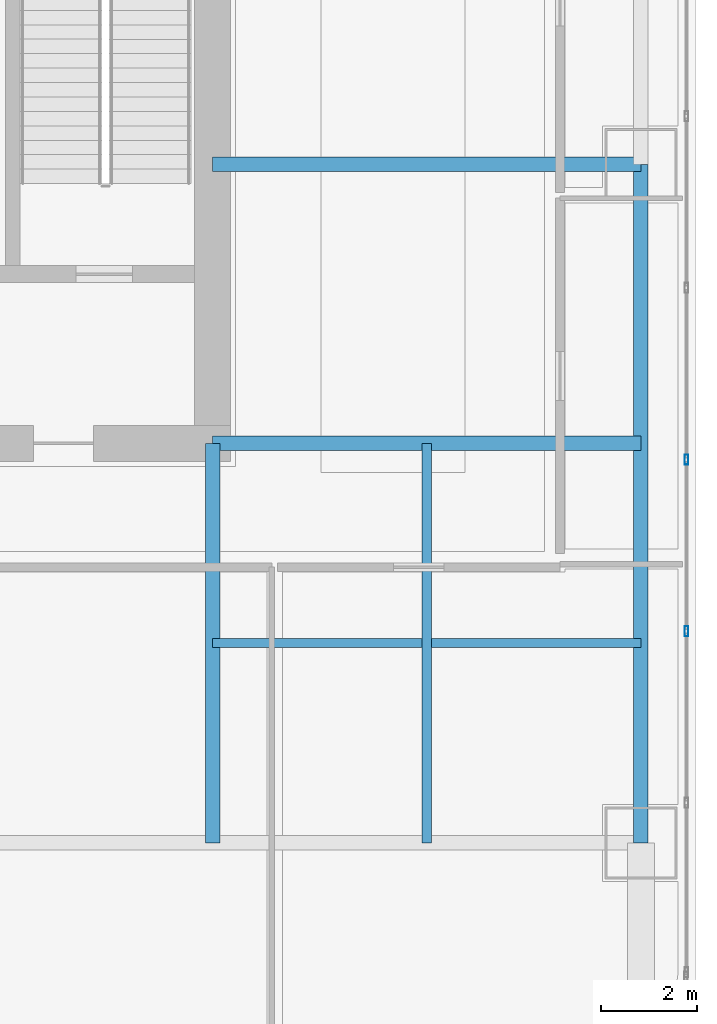
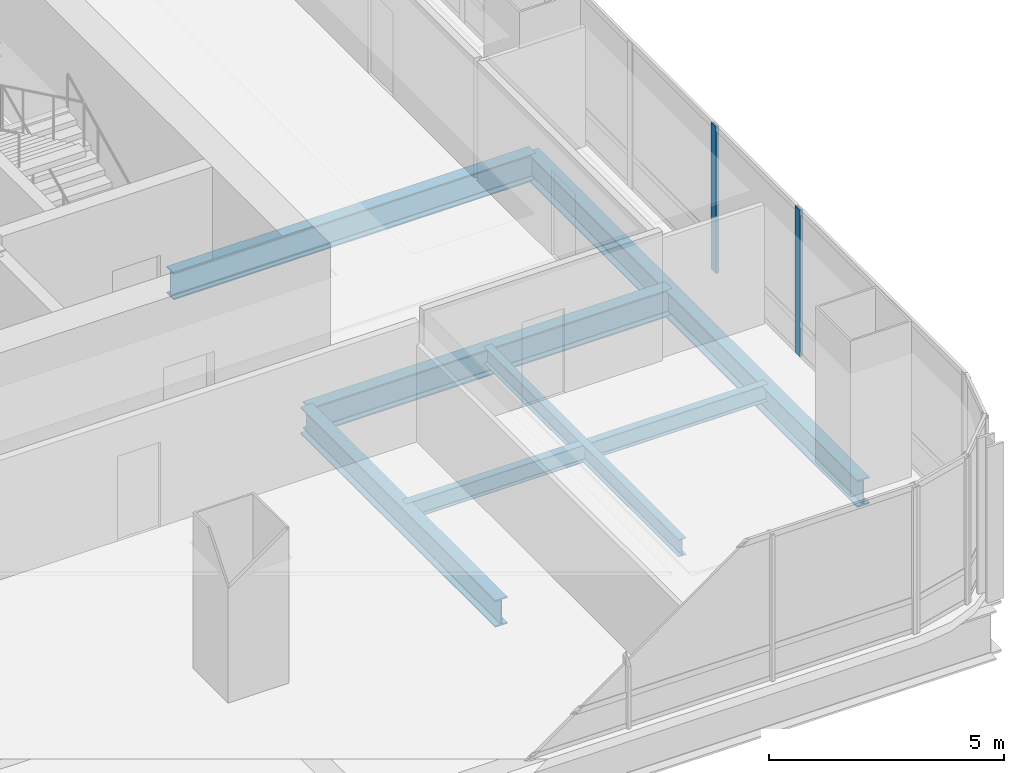
# One storey, part 14 of 36: 6 beams, 2 members, 1 element without a shape of its own.
"""IFC4 building model written with IfcOpenShell, lengths in metres."""

from ifc_helpers import new_model, si_unit, direction, frame, origin, origin_2d, place, context, subcontext, project, spatial, hollow_rectangle, i_section, extrude, material, material_profile, profile_set, type_object, element, aggregate, save


model = new_model("IFC4")

# Units and contexts
model_context = context("Model", 3, precision=1e-05, world=origin(), true_north=direction((0.0, 1.0)))
body_context = subcontext(model_context, "Body", "Model", "MODEL_VIEW")
ifc_project = project(units=[si_unit("LENGTHUNIT", "METRE"), si_unit("AREAUNIT", "SQUARE_METRE"), si_unit("VOLUMEUNIT", "CUBIC_METRE"), si_unit("PLANEANGLEUNIT", "RADIAN"), si_unit("MASSUNIT", "GRAM", prefix="KILO")], contexts=[model_context])

# Site, building, storey
site_placement = place(None, origin())
site = spatial("IfcSite", under=ifc_project, at=site_placement, CompositionType="ELEMENT")
building_placement = place(site_placement, origin())
building = spatial("IfcBuilding", under=site, at=building_placement, Name="Punatoya Terracotta Tower", CompositionType="ELEMENT")
storey_placement = place(building_placement, frame((0.0, 0.0, 40.35009765625)))
storey = spatial("IfcBuildingStorey", under=building, at=storey_placement, Name="L08", CompositionType="ELEMENT", Elevation=40.35009765625)

# Beams
ifc_material_1 = material(Name="Steel S355", Category="steel")
ifc_material_profile_1 = material_profile(ifc_material_1, i_section(OverallWidth=0.300048828125, OverallDepth=0.699951171875, WebThickness=0.01708984375, FlangeThickness=0.031982421875, FilletRadius=0.01806640625, at=origin_2d()))
ifc_profile_set_1 = profile_set([ifc_material_profile_1], Name="Steel S355")
beam_type_1 = type_object("IfcBeamType", Name="BM-PRI-700", PredefinedType="BEAM", material=ifc_profile_set_1)
beam_1_placement = place(storey_placement, frame((19.10009765625, -17.5, -0.590087890625), z_axis=(0.0, 1.0, 0.0), x_axis=(-1.0, 0.0, 0.0)))
element("IfcBeam", 1, at=beam_1_placement, inside=storey, type_object=beam_type_1, Name="BM-L08-RG-E1", PredefinedType="BEAM", context=body_context, shape_type="SweptSolid", body=[
    extrude(i_section(OverallWidth=0.300048828125, OverallDepth=0.699951171875, WebThickness=0.01708984375, FlangeThickness=0.031982421875, FilletRadius=0.01806640625, at=origin_2d()), origin(), (0.0, 0.0, 1.0), 14.10009765625),
])
for number, where, z_axis, x_axis, name in (
    (2, (10.199951171875, -9.199951171875, -0.590087890625), (1.0, 0.0, 0.0), (0.0, 1.0, 0.0), "BM-L08-PR-ES"),
    (3, (10.199951171875, -3.39990234375, -0.590087890625), (1.0, 0.0, 0.0), (0.0, 1.0, 0.0), "BM-L08-PR-ED"),
):
    element("IfcBeam", number, at=place(storey_placement, frame(where, z_axis=z_axis, x_axis=x_axis)), inside=storey, type_object=beam_type_1, Name=name, PredefinedType="BEAM", context=body_context, shape_type="SweptSolid", body=[
        extrude(i_section(OverallWidth=0.300048828125, OverallDepth=0.699951171875, WebThickness=0.01708984375, FlangeThickness=0.031982421875, FilletRadius=0.01806640625, at=origin_2d()), origin(), (0.0, 0.0, 1.0), 8.900146484375),
    ])
beam_2_placement = place(storey_placement, frame((10.199951171875, -17.5, -0.590087890625), z_axis=(0.0, 1.0, 0.0), x_axis=(-1.0, 0.0, 0.0)))
element("IfcBeam", 4, at=beam_2_placement, inside=storey, type_object=beam_type_1, Name="BM-L08-PR-S4", PredefinedType="BEAM", context=body_context, shape_type="SweptSolid", body=[
    extrude(i_section(OverallWidth=0.300048828125, OverallDepth=0.699951171875, WebThickness=0.01708984375, FlangeThickness=0.031982421875, FilletRadius=0.01806640625, at=origin_2d()), origin(), (0.0, 0.0, 1.0), 8.300048828125),
])
ifc_material_profile_2 = material_profile(ifc_material_1, i_section(OverallWidth=0.18994140625, OverallDepth=0.449951171875, WebThickness=0.009521484375, FlangeThickness=0.0146484375, FilletRadius=0.01806640625, at=origin_2d()))
ifc_profile_set_2 = profile_set([ifc_material_profile_2], Name="Steel S355")
beam_type_2 = type_object("IfcBeamType", Name="BM-SEC-450", PredefinedType="JOIST", material=ifc_profile_set_2)
beam_3_placement = place(storey_placement, frame((10.199951171875, -13.35009765625, -0.465087890625), z_axis=(1.0, 0.0, 0.0), x_axis=(0.0, 1.0, 0.0)))
element("IfcBeam", 5, at=beam_3_placement, inside=storey, type_object=beam_type_2, Name="BM-L08-SJS-2", PredefinedType="JOIST", context=body_context, shape_type="SweptSolid", body=[
    extrude(i_section(OverallWidth=0.18994140625, OverallDepth=0.449951171875, WebThickness=0.009521484375, FlangeThickness=0.0146484375, FilletRadius=0.01806640625, at=origin_2d()), origin(), (0.0, 0.0, 1.0), 8.900146484375),
])
beam_4_placement = place(storey_placement, frame((14.64990234375, -17.5, -0.465087890625), z_axis=(0.0, 1.0, 0.0), x_axis=(-1.0, 0.0, 0.0)))
element("IfcBeam", 6, at=beam_4_placement, inside=storey, type_object=beam_type_2, Name="BM-L08-SJE-1", PredefinedType="JOIST", context=body_context, shape_type="SweptSolid", body=[
    extrude(i_section(OverallWidth=0.18994140625, OverallDepth=0.449951171875, WebThickness=0.009521484375, FlangeThickness=0.0146484375, FilletRadius=0.01806640625, at=origin_2d()), origin(), (0.0, 0.0, 1.0), 8.300048828125),
])

# Curtain wall, members
ifc_material_2 = material(Name="Aluminium 6063-T6 + Double Low-E Glass", Category="aluminium")
curtain_wall_type = type_object("IfcCurtainWallType", Name="CW-M1", PredefinedType="NOTDEFINED", material=ifc_material_2)
curtain_wall_placement = place(storey_placement, origin())
curtain_wall = element("IfcCurtainWall", 7, at=curtain_wall_placement, inside=storey, type_object=curtain_wall_type, Name="L08 Curtain Wall CW-L08-E05-1", PredefinedType="NOTDEFINED")
ifc_material_3 = material(Name="Aluminium 6063-T6", Category="aluminium")
ifc_material_profile_3 = material_profile(ifc_material_3, hollow_rectangle(XDim=0.074951171875, YDim=0.2099609375, WallThickness=0.00439453125, at=origin_2d()))
ifc_profile_set_3 = profile_set([ifc_material_profile_3], Name="Aluminium 6063-T6")
member_type = type_object("IfcMemberType", Name="CW-MUL-M1", PredefinedType="MULLION", material=ifc_profile_set_3)
member_1_placement = place(storey_placement, frame((20.050048828125, -13.10205078125, 0.0), z_axis=(0.0, 0.0, 1.0), x_axis=(1.0, 0.0, 0.0)))
member_1 = element("IfcMember", 8, at=member_1_placement, type_object=member_type, Name="CW-L08-E05-1 Mullion 02", PredefinedType="MULLION", context=body_context, shape_type="SweptSolid", body=[
    extrude(hollow_rectangle(XDim=0.074951171875, YDim=0.2099609375, WallThickness=0.00439453125, at=origin_2d()), origin(), (0.0, 0.0, 1.0), 3.809814453125),
])
member_2_placement = place(storey_placement, frame((20.050048828125, -9.534912109375, 0.0), z_axis=(0.0, 0.0, 1.0), x_axis=(1.0, 0.0, 0.0)))
member_2 = element("IfcMember", 9, at=member_2_placement, type_object=member_type, Name="CW-L08-E05-1 Mullion 03", PredefinedType="MULLION", context=body_context, shape_type="SweptSolid", body=[
    extrude(hollow_rectangle(XDim=0.074951171875, YDim=0.2099609375, WallThickness=0.00439453125, at=origin_2d()), origin(), (0.0, 0.0, 1.0), 3.809814453125),
])
aggregate(curtain_wall, [member_1, member_2])

save(model, "model.ifc")
